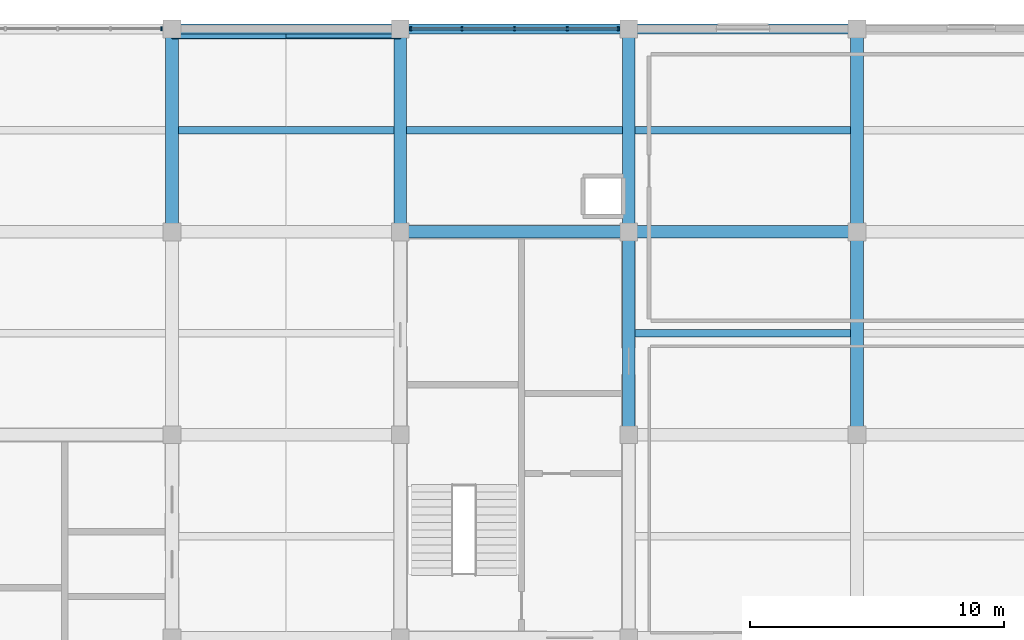
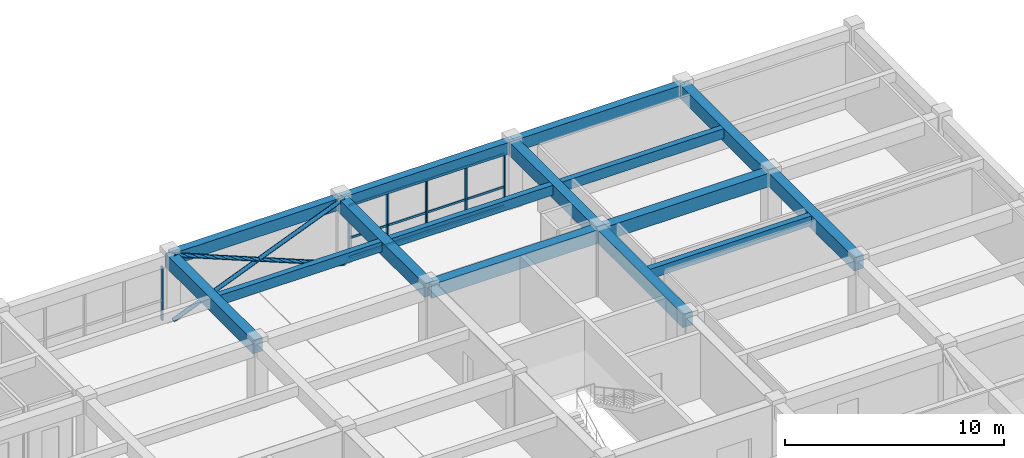
# One storey, part 8 of 14: 15 beams, 11 members, 2 elements without a shape of their own.
"""IFC4 building model written with IfcOpenShell, lengths in metres."""

import ifcopenshell
import ifcopenshell.guid

model = None  # the IFC model being written
_history = None  # IfcOwnerHistory: only IFC2X3 demands one
_inside = {}  # id of a spatial element -> (the spatial element, [elements in it])
_under = {}  # id of a project, library or spatial element -> (it, [spatial elements below it])
_declared = {}  # id of a project -> (the project, [libraries it declares])
_typed = {}  # id of a type object -> (the type object, [elements of that type])
_made_of = {}  # id of a material, layer set ... -> (it, [elements and type objects made of it])


def new_model(schema):
    """Start an empty IFC model of exactly this schema.

    Asked for "IFC4X3", IfcOpenShell would pick the latest addendum, in which some entities
    have other attributes; the version numbers below select the first issue.
    IFC2X3 requires an IfcOwnerHistory on every rooted entity: one is made here for all.
    """
    global model, _history
    if schema == "IFC4X3":
        model = ifcopenshell.file(schema_version=(4, 3, 0, 0))
    else:
        model = ifcopenshell.file(schema=schema)
    _inside.clear()
    _under.clear()
    _declared.clear()
    _typed.clear()
    _made_of.clear()
    _history = None
    if model.schema == "IFC2X3":
        org = make("IfcOrganization", Name="unknown")
        user = make(
            "IfcPersonAndOrganization",
            ThePerson=make("IfcPerson", FamilyName="unknown"),
            TheOrganization=org,
        )
        app = make(
            "IfcApplication",
            ApplicationDeveloper=org,
            Version="unknown",
            ApplicationFullName="unknown",
            ApplicationIdentifier="unknown",
        )
        _history = make(
            "IfcOwnerHistory",
            OwningUser=user,
            OwningApplication=app,
            ChangeAction="ADDED",
            CreationDate=0,
        )
    return model


def make(cls, **values):
    """One entity of the class cls with the attributes given. An attribute that is None is left unset."""
    return model.create_entity(
        cls, **{name: value for name, value in values.items() if value is not None}
    )


def rooted(cls, **values):
    """An entity with a GlobalId (a new one), such as an element, a storey or a relation."""
    return make(cls, GlobalId=ifcopenshell.guid.new(), OwnerHistory=_history, **values)


def si_unit(unit_type, name, prefix=None):
    """IfcSIUnit, for example si_unit("LENGTHUNIT", "METRE", prefix="MILLI")."""
    return make("IfcSIUnit", UnitType=unit_type, Prefix=prefix, Name=name)


def assignment(units):
    """IfcUnitAssignment: the units of a project."""
    return None if units is None else make("IfcUnitAssignment", Units=units)


def point(xyz):
    """IfcCartesianPoint."""
    return None if xyz is None else make("IfcCartesianPoint", Coordinates=xyz)


def direction(xyz):
    """IfcDirection."""
    return None if xyz is None else make("IfcDirection", DirectionRatios=xyz)


def frame(location, z_axis=None, x_axis=None):
    """IfcAxis2Placement3D, a coordinate frame: its origin and axes. An axis left out is left unset."""
    return make(
        "IfcAxis2Placement3D",
        Location=point(location),
        Axis=direction(z_axis),
        RefDirection=direction(x_axis),
    )


def frame_2d(location, x_axis=None):
    """IfcAxis2Placement2D, a coordinate frame in the plane: its origin and x axis."""
    return make(
        "IfcAxis2Placement2D", Location=point(location), RefDirection=direction(x_axis)
    )


def origin():
    """The frame at (0, 0, 0) with its axes left unset."""
    return frame((0.0, 0.0, 0.0))


def origin_2d():
    """The frame at (0, 0) in the plane with its x axis left unset."""
    return frame_2d((0.0, 0.0))


def place(relative_to, where):
    """IfcLocalPlacement: puts the frame where relative to a parent placement (None: the world)."""
    return make(
        "IfcLocalPlacement", PlacementRelTo=relative_to, RelativePlacement=where
    )


def context(
    kind, dimensions, precision=None, world=None, true_north=None, identifier=None
):
    """IfcGeometricRepresentationContext, for example the 3D "Model" context."""
    return make(
        "IfcGeometricRepresentationContext",
        ContextIdentifier=identifier,
        ContextType=kind,
        CoordinateSpaceDimension=dimensions,
        Precision=precision,
        WorldCoordinateSystem=world,
        TrueNorth=true_north,
    )


def subcontext(parent, identifier, kind, view, scale=None):
    """IfcGeometricRepresentationSubContext, for example "Body" below "Model"."""
    return make(
        "IfcGeometricRepresentationSubContext",
        ContextIdentifier=identifier,
        ContextType=kind,
        ParentContext=parent,
        TargetScale=scale,
        TargetView=view,
    )


def project(units=None, contexts=None):
    """IfcProject with its units and contexts."""
    return rooted(
        "IfcProject",
        Name="project",
        RepresentationContexts=contexts,
        UnitsInContext=assignment(units),
    )


def spatial(cls, under=None, at=None, **own):
    """A site, building, storey or space (cls), placed at a placement, below another one or the project."""
    s = rooted(cls, ObjectPlacement=at, **own)
    if under is not None:
        _under.setdefault(under.id(), (under, []))[1].append(s)
    return s


def profile(cls, at=None, kind="AREA", **sizes):
    """A parametric profile (cls). Its sizes go by their IFC names, for example OverallWidth=200.0."""
    return make(cls, ProfileType=kind, Position=at, **sizes)


def rectangle(**sizes):
    """IfcRectangleProfileDef."""
    return profile("IfcRectangleProfileDef", **sizes)


def hollow_circle(**sizes):
    """IfcCircleHollowProfileDef."""
    return profile("IfcCircleHollowProfileDef", **sizes)


def extrude(swept, where, along, depth):
    """IfcExtrudedAreaSolid: the profile swept, set in the frame where, extruded along a direction by depth."""
    return make(
        "IfcExtrudedAreaSolid",
        SweptArea=swept,
        Position=where,
        ExtrudedDirection=direction(along),
        Depth=depth,
    )


def shape(context_of_items, identifier, shape_type, items):
    """IfcShapeRepresentation: the items that make up one representation, for example the "Body"."""
    return make(
        "IfcShapeRepresentation",
        ContextOfItems=context_of_items,
        RepresentationIdentifier=identifier,
        RepresentationType=shape_type,
        Items=items,
    )


def material(Name=None, Category=None):
    """IfcMaterial."""
    return make("IfcMaterial", Name=Name, Category=Category)


def material_profile(
    of_material, cross_section, Name=None, Category=None, Priority=None
):
    """IfcMaterialProfile: a cross section and its material."""
    return make(
        "IfcMaterialProfile",
        Name=Name,
        Material=of_material,
        Profile=cross_section,
        Priority=Priority,
        Category=Category,
    )


def profile_set(profiles, Name=None, composite=None):
    """IfcMaterialProfileSet."""
    return make(
        "IfcMaterialProfileSet",
        Name=Name,
        MaterialProfiles=profiles,
        CompositeProfile=composite,
    )


def made_of(thing, what):
    """Note that an element or type object is made of a material, layer set ...; save() writes the relation."""
    if what is not None:
        _made_of.setdefault(what.id(), (what, []))[1].append(thing)
    return thing


def type_object(cls, material=None, **own):
    """A type object (cls), such as IfcWallType, which elements share."""
    return made_of(rooted(cls, **own), material)


def element(
    cls,
    number,
    at=None,
    inside=None,
    cuts=None,
    type_object=None,
    material=None,
    context=None,
    identifier="Body",
    shape_type=None,
    held_by="IfcProductDefinitionShape",
    body=None,
    shapes=None,
    **own,
):
    """One element of the class cls, such as IfcWall. Its Tag is "e" and its number.

    at: its placement. inside: the storey or other place that contains it. cuts: it is an
    opening in that element (IfcRelVoidsElement). A single representation is given by context,
    identifier, shape_type and body (its items); several are given by shapes. held_by: the class
    of the entity that holds the representations. save() writes the other relations.
    """
    e = rooted(cls, Tag="e%d" % number, ObjectPlacement=at, **own)
    if body is not None:
        shapes = [shape(context, identifier, shape_type, body)]
    if shapes is not None:
        e.Representation = make(held_by, Representations=shapes)
    if inside is not None:
        _inside.setdefault(inside.id(), (inside, []))[1].append(e)
    if cuts is not None:
        rooted(
            "IfcRelVoidsElement", RelatingBuildingElement=cuts, RelatedOpeningElement=e
        )
    if type_object is not None:
        _typed.setdefault(type_object.id(), (type_object, []))[1].append(e)
    return made_of(e, material)


def aggregate(whole, parts):
    """IfcRelAggregates: a whole, such as a stair, and the parts it consists of."""
    return rooted("IfcRelAggregates", RelatingObject=whole, RelatedObjects=parts)


def save(model, path):
    """Write the relations noted so far, then the file.

    IfcRelAggregates (storeys below a building ...), IfcRelContainedInSpatialStructure (elements
    in a storey), IfcRelDefinesByType, IfcRelAssociatesMaterial and IfcRelDeclares: one each for
    every whole, place, type object, material and project.
    """
    for whole, parts in _under.values():
        aggregate(whole, parts)
    for where, things in _inside.values():
        rooted(
            "IfcRelContainedInSpatialStructure",
            RelatedElements=things,
            RelatingStructure=where,
        )
    for kind, things in _typed.values():
        rooted("IfcRelDefinesByType", RelatedObjects=things, RelatingType=kind)
    for what, things in _made_of.values():
        rooted("IfcRelAssociatesMaterial", RelatedObjects=things, RelatingMaterial=what)
    for by, libraries in _declared.values():
        rooted("IfcRelDeclares", RelatingContext=by, RelatedDefinitions=libraries)
    model.write(path)


model = new_model("IFC4")

# Units and contexts
model_context = context("Model", 3, precision=1e-05, world=origin(), true_north=direction((0.0, 1.0)))
body_context = subcontext(model_context, "Body", "Model", "MODEL_VIEW")
ifc_project = project(units=[si_unit("LENGTHUNIT", "METRE"), si_unit("AREAUNIT", "SQUARE_METRE"), si_unit("VOLUMEUNIT", "CUBIC_METRE"), si_unit("PLANEANGLEUNIT", "RADIAN"), si_unit("MASSUNIT", "GRAM", prefix="KILO")], contexts=[model_context])

# Site, building, storey
site_placement = place(None, origin())
site = spatial("IfcSite", under=ifc_project, at=site_placement, CompositionType="ELEMENT")
building_placement = place(site_placement, origin())
building = spatial("IfcBuilding", under=site, at=building_placement, Name="Zaverband Oceanarium and Marine Research Institute", CompositionType="ELEMENT")
storey_placement = place(building_placement, frame((0.0, 0.0, 57.0)))
storey = spatial("IfcBuildingStorey", under=building, at=storey_placement, Name="L14", CompositionType="ELEMENT", Elevation=57.0)

# Beams
ifc_material_1 = material(Name="Concrete C40/50", Category="concrete")
ifc_material_profile_1 = material_profile(ifc_material_1, rectangle(XDim=0.5, YDim=0.75, at=origin_2d()), Name="RC500x750")
ifc_profile_set_1 = profile_set([ifc_material_profile_1], Name="Concrete C40/50")
beam_type_1 = type_object("IfcBeamType", Name="BM-500x750", PredefinedType="BEAM", material=ifc_profile_set_1)
for number, where, z_axis, x_axis, name in (
    (1, (36.0, 104.0, 3.27490234375), (1.0, 0.0, 0.0), (0.0, 1.0, 0.0), "Primary floor girder BM-500x750"),
    (2, (45.0, 104.0, 3.27490234375), (1.0, 0.0, 0.0), (0.0, 1.0, 0.0), "Primary floor girder BM-500x750"),
):
    element("IfcBeam", number, at=place(storey_placement, frame(where, z_axis=z_axis, x_axis=x_axis)), inside=storey, type_object=beam_type_1, Name=name, PredefinedType="BEAM", context=body_context, shape_type="SweptSolid", body=[
        extrude(rectangle(XDim=0.5, YDim=0.75, at=origin_2d()), origin(), (0.0, 0.0, 1.0), 9.0),
    ])
for number, where, z_axis, x_axis, name in (
    (3, (27.0, 104.0, 3.27490234375), (0.0, 1.0, 0.0), (-1.0, 0.0, 0.0), "Primary floor girder BM-500x750"),
    (4, (36.0, 104.0, 3.27490234375), (0.0, 1.0, 0.0), (-1.0, 0.0, 0.0), "Primary floor girder BM-500x750"),
    (5, (45.0, 96.0, 3.27490234375), (0.0, 1.0, 0.0), (-1.0, 0.0, 0.0), "Primary floor girder BM-500x750"),
    (6, (45.0, 104.0, 3.27490234375), (0.0, 1.0, 0.0), (-1.0, 0.0, 0.0), "Primary floor girder BM-500x750"),
    (7, (54.0, 96.0, 3.27490234375), (0.0, 1.0, 0.0), (-1.0, 0.0, 0.0), "Primary floor girder BM-500x750"),
    (8, (54.0, 104.0, 3.27490234375), (0.0, 1.0, 0.0), (-1.0, 0.0, 0.0), "Primary floor girder BM-500x750"),
):
    element("IfcBeam", number, at=place(storey_placement, frame(where, z_axis=z_axis, x_axis=x_axis)), inside=storey, type_object=beam_type_1, Name=name, PredefinedType="BEAM", context=body_context, shape_type="SweptSolid", body=[
        extrude(rectangle(XDim=0.5, YDim=0.75, at=origin_2d()), origin(), (0.0, 0.0, 1.0), 8.0),
    ])

# Members
ifc_material_2 = material(Name="Steel S355", Category="steel")
ifc_material_profile_2 = material_profile(ifc_material_2, hollow_circle(Radius=0.109619140625, WallThickness=0.008056640625, at=origin_2d()), Name="CHS219x8")
ifc_profile_set_2 = profile_set([ifc_material_profile_2], Name="Steel S355")
member_type_1 = type_object("IfcMemberType", Name="BR-02", PredefinedType="BRACE", material=ifc_profile_set_2)
for number, where, z_axis, x_axis, name in (
    (9, (27.0, 111.719970703125, 0.0), (0.92669431564, 0.0, 0.375815972733), (0.0, 1.0, 0.0), "Diagonal lateral brace BR-02"),
    (10, (36.0, 111.719970703125, 0.0), (-0.92669431564, 0.0, 0.375815972733), (0.0, -1.0, 0.0), "Diagonal lateral brace BR-02"),
):
    element("IfcMember", number, at=place(storey_placement, frame(where, z_axis=z_axis, x_axis=x_axis)), inside=storey, type_object=member_type_1, Name=name, PredefinedType="BRACE", context=body_context, shape_type="SweptSolid", body=[
        extrude(hollow_circle(Radius=0.109619140625, WallThickness=0.008056640625, at=origin_2d()), origin(), (0.0, 0.0, 1.0), 9.7119140625),
    ])

# Beams
ifc_material_profile_3 = material_profile(ifc_material_1, rectangle(XDim=0.300048828125, YDim=0.550048828125, at=origin_2d()), Name="RC300x550")
ifc_profile_set_3 = profile_set([ifc_material_profile_3], Name="Concrete C40/50")
beam_type_2 = type_object("IfcBeamType", Name="JST-300x550", PredefinedType="JOIST", material=ifc_profile_set_3)
for number, where, z_axis, x_axis, name in (
    (11, (27.25, 108.0, 3.375), (1.0, 0.0, 0.0), (0.0, 1.0, 0.0), "Secondary floor joist JST-300x550"),
    (12, (36.25, 108.0, 3.375), (1.0, 0.0, 0.0), (0.0, 1.0, 0.0), "Secondary floor joist JST-300x550"),
    (13, (45.25, 100.0, 3.375), (1.0, 0.0, 0.0), (0.0, 1.0, 0.0), "Secondary floor joist JST-300x550"),
    (14, (45.25, 108.0, 3.375), (1.0, 0.0, 0.0), (0.0, 1.0, 0.0), "Secondary floor joist JST-300x550"),
):
    element("IfcBeam", number, at=place(storey_placement, frame(where, z_axis=z_axis, x_axis=x_axis)), inside=storey, type_object=beam_type_2, Name=name, PredefinedType="JOIST", context=body_context, shape_type="SweptSolid", body=[
        extrude(rectangle(XDim=0.300048828125, YDim=0.550048828125, at=origin_2d()), origin(), (0.0, 0.0, 1.0), 8.5),
    ])

# Curtain wall, member
ifc_material_3 = material(Name="Thermally broken anodized aluminium and solar-control glass", Category="aluminium")
curtain_wall_type = type_object("IfcCurtainWallType", Name="CW-UNIT-1800", PredefinedType="NOTDEFINED", material=ifc_material_3)
curtain_wall_1_placement = place(storey_placement, origin())
curtain_wall_1 = element("IfcCurtainWall", 15, at=curtain_wall_1_placement, inside=storey, type_object=curtain_wall_type, Name="Unitised glazed curtain wall CW-151", PredefinedType="NOTDEFINED")
ifc_material_4 = material(Name="Thermally broken anodized aluminium", Category="aluminium")
ifc_material_profile_4 = material_profile(ifc_material_4, rectangle(XDim=0.070068359375, YDim=0.14990234375, at=origin_2d()), Name="AL-MUL-70x150")
ifc_profile_set_4 = profile_set([ifc_material_profile_4], Name="Thermally broken anodized aluminium")
member_type_2 = type_object("IfcMemberType", Name="MUL-70x150", PredefinedType="MULLION", material=ifc_profile_set_4)
member_1_placement = place(storey_placement, frame((26.5849609375, 112.0, 0.0), z_axis=(0.0, 0.0, 1.0), x_axis=(1.0, 0.0, 0.0)))
member_1 = element("IfcMember", 16, at=member_1_placement, type_object=member_type_2, Name="Curtain wall vertical mullion MUL-70x150", PredefinedType="MULLION", context=body_context, shape_type="SweptSolid", body=[
    extrude(rectangle(XDim=0.070068359375, YDim=0.14990234375, at=origin_2d()), origin(), (0.0, 0.0, 1.0), 2.97998046875),
])
aggregate(curtain_wall_1, [member_1])

# Curtain wall, members
curtain_wall_2_placement = place(storey_placement, origin())
curtain_wall_2 = element("IfcCurtainWall", 17, at=curtain_wall_2_placement, inside=storey, type_object=curtain_wall_type, Name="Unitised glazed curtain wall CW-152", PredefinedType="NOTDEFINED")
member_2_placement = place(storey_placement, frame((36.4150390625, 112.0, 0.0), z_axis=(0.0, 0.0, 1.0), x_axis=(1.0, 0.0, 0.0)))
member_2 = element("IfcMember", 18, at=member_2_placement, type_object=member_type_2, Name="Curtain wall vertical mullion MUL-70x150", PredefinedType="MULLION", context=body_context, shape_type="SweptSolid", body=[
    extrude(rectangle(XDim=0.070068359375, YDim=0.14990234375, at=origin_2d()), origin(), (0.0, 0.0, 1.0), 2.97998046875),
])
member_3_placement = place(storey_placement, frame((38.427490234375, 112.0, 0.0), z_axis=(0.0, 0.0, 1.0), x_axis=(1.0, 0.0, 0.0)))
member_3 = element("IfcMember", 19, at=member_3_placement, type_object=member_type_2, Name="Curtain wall vertical mullion MUL-70x150", PredefinedType="MULLION", context=body_context, shape_type="SweptSolid", body=[
    extrude(rectangle(XDim=0.070068359375, YDim=0.14990234375, at=origin_2d()), origin(), (0.0, 0.0, 1.0), 2.97998046875),
])
member_4_placement = place(storey_placement, frame((40.5, 112.0, 0.0), z_axis=(0.0, 0.0, 1.0), x_axis=(1.0, 0.0, 0.0)))
member_4 = element("IfcMember", 20, at=member_4_placement, type_object=member_type_2, Name="Curtain wall vertical mullion MUL-70x150", PredefinedType="MULLION", context=body_context, shape_type="SweptSolid", body=[
    extrude(rectangle(XDim=0.070068359375, YDim=0.14990234375, at=origin_2d()), origin(), (0.0, 0.0, 1.0), 2.97998046875),
])
member_5_placement = place(storey_placement, frame((42.572509765625, 112.0, 0.0), z_axis=(0.0, 0.0, 1.0), x_axis=(1.0, 0.0, 0.0)))
member_5 = element("IfcMember", 21, at=member_5_placement, type_object=member_type_2, Name="Curtain wall vertical mullion MUL-70x150", PredefinedType="MULLION", context=body_context, shape_type="SweptSolid", body=[
    extrude(rectangle(XDim=0.070068359375, YDim=0.14990234375, at=origin_2d()), origin(), (0.0, 0.0, 1.0), 2.97998046875),
])
member_6_placement = place(storey_placement, frame((44.5849609375, 112.0, 0.0), z_axis=(0.0, 0.0, 1.0), x_axis=(1.0, 0.0, 0.0)))
member_6 = element("IfcMember", 22, at=member_6_placement, type_object=member_type_2, Name="Curtain wall vertical mullion MUL-70x150", PredefinedType="MULLION", context=body_context, shape_type="SweptSolid", body=[
    extrude(rectangle(XDim=0.070068359375, YDim=0.14990234375, at=origin_2d()), origin(), (0.0, 0.0, 1.0), 2.97998046875),
])

# Beams
ifc_material_profile_5 = material_profile(ifc_material_1, rectangle(XDim=0.39990234375, YDim=0.64990234375, at=origin_2d()), Name="RC400x650")
ifc_profile_set_5 = profile_set([ifc_material_profile_5], Name="Concrete C40/50")
beam_type_3 = type_object("IfcBeamType", Name="SPN-400x650", PredefinedType="SPANDREL", material=ifc_profile_set_5)
for number, where, z_axis, x_axis, name in (
    (23, (27.0, 112.0, 3.324951171875), (1.0, 0.0, 0.0), (0.0, 1.0, 0.0), "Perimeter spandrel beam SPN-400x650"),
    (24, (36.0, 112.0, 3.324951171875), (1.0, 0.0, 0.0), (0.0, 1.0, 0.0), "Perimeter spandrel beam SPN-400x650"),
    (25, (45.0, 112.0, 3.324951171875), (1.0, 0.0, 0.0), (0.0, 1.0, 0.0), "Perimeter spandrel beam SPN-400x650"),
):
    element("IfcBeam", number, at=place(storey_placement, frame(where, z_axis=z_axis, x_axis=x_axis)), inside=storey, type_object=beam_type_3, Name=name, PredefinedType="SPANDREL", context=body_context, shape_type="SweptSolid", body=[
        extrude(rectangle(XDim=0.39990234375, YDim=0.64990234375, at=origin_2d()), origin(), (0.0, 0.0, 1.0), 9.0),
    ])

# Member
ifc_material_profile_6 = material_profile(ifc_material_4, rectangle(XDim=0.070068359375, YDim=0.114990234375, at=origin_2d()), Name="AL-TRN-70x115")
ifc_profile_set_6 = profile_set([ifc_material_profile_6], Name="Thermally broken anodized aluminium")
member_type_3 = type_object("IfcMemberType", Name="TRN-70x115", PredefinedType="USERDEFINED", material=ifc_profile_set_6)
member_7_placement = place(storey_placement, frame((36.4150390625, 112.0, 0.050048828125), z_axis=(1.0, 0.0, 0.0), x_axis=(0.0, 1.0, 0.0)))
member_7 = element("IfcMember", 26, at=member_7_placement, type_object=member_type_3, Name="Curtain wall horizontal transom TRN-70x115", ObjectType="TRANSOM", PredefinedType="USERDEFINED", context=body_context, shape_type="SweptSolid", body=[
    extrude(rectangle(XDim=0.070068359375, YDim=0.114990234375, at=origin_2d()), origin(), (0.0, 0.0, 1.0), 8.169921875),
])

member_8_placement = place(storey_placement, frame((36.4150390625, 112.0, 1.123046875), z_axis=(1.0, 0.0, 0.0), x_axis=(0.0, 1.0, 0.0)))
member_8 = element("IfcMember", 27, at=member_8_placement, type_object=member_type_3, Name="Curtain wall horizontal transom TRN-70x115", ObjectType="TRANSOM", PredefinedType="USERDEFINED", context=body_context, shape_type="SweptSolid", body=[
    extrude(rectangle(XDim=0.070068359375, YDim=0.114990234375, at=origin_2d()), origin(), (0.0, 0.0, 1.0), 8.169921875),
])

member_9_placement = place(storey_placement, frame((36.4150390625, 112.0, 2.929931640625), z_axis=(1.0, 0.0, 0.0), x_axis=(0.0, 1.0, 0.0)))
member_9 = element("IfcMember", 28, at=member_9_placement, type_object=member_type_3, Name="Curtain wall horizontal transom TRN-70x115", ObjectType="TRANSOM", PredefinedType="USERDEFINED", context=body_context, shape_type="SweptSolid", body=[
    extrude(rectangle(XDim=0.070068359375, YDim=0.114990234375, at=origin_2d()), origin(), (0.0, 0.0, 1.0), 8.169921875),
])

aggregate(curtain_wall_2, [member_2, member_3, member_4, member_5, member_6, member_7, member_8, member_9])

save(model, "model.ifc")
